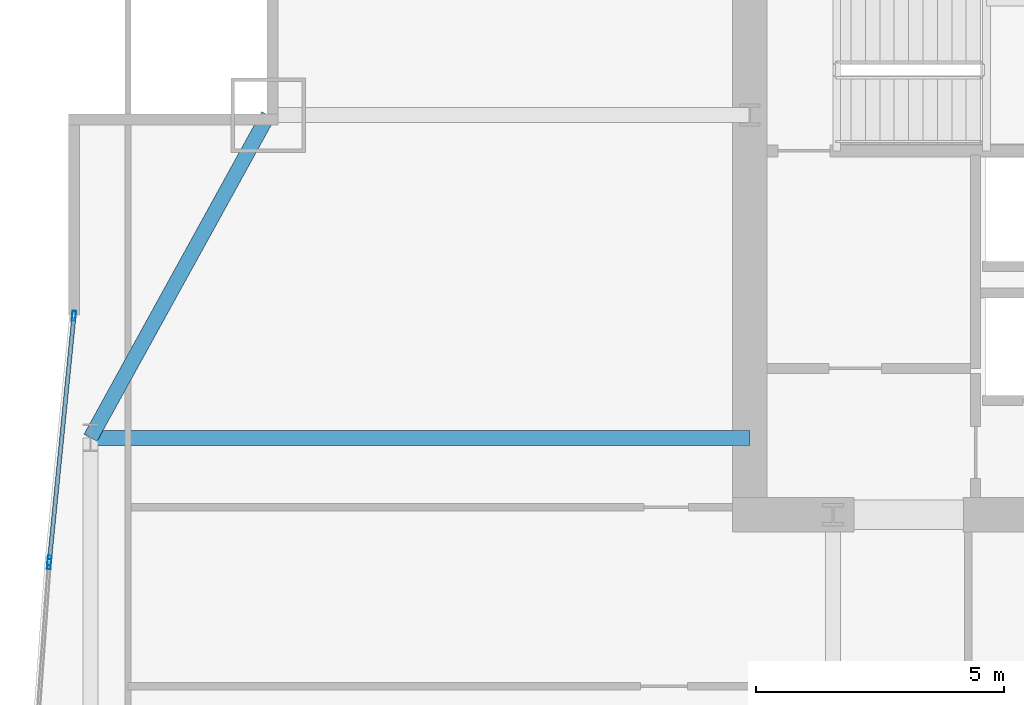
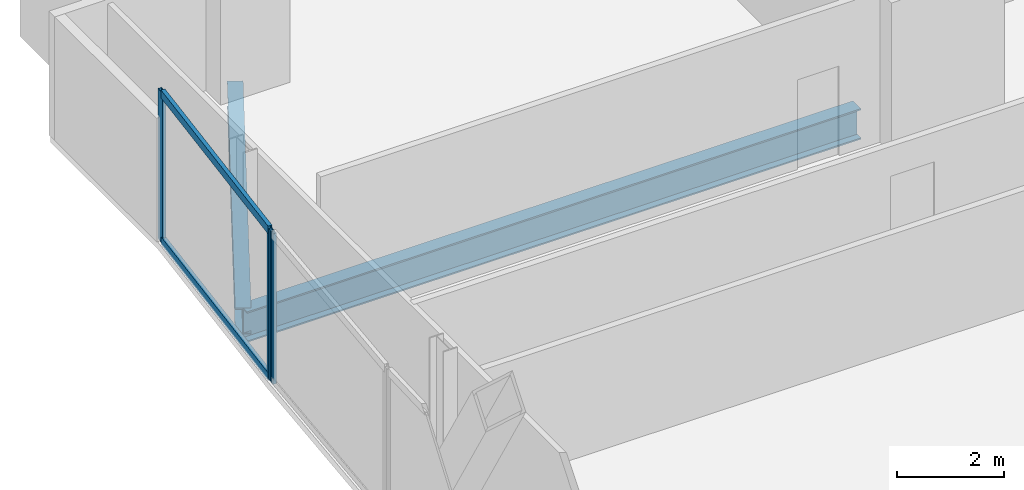
# One storey, part 17 of 31: 5 members, 2 beams, 2 elements without a shape of their own.
"""IFC4 building model written with IfcOpenShell, lengths in metres."""

import ifcopenshell
import ifcopenshell.guid

model = None  # the IFC model being written
_history = None  # IfcOwnerHistory: only IFC2X3 demands one
_inside = {}  # id of a spatial element -> (the spatial element, [elements in it])
_under = {}  # id of a project, library or spatial element -> (it, [spatial elements below it])
_declared = {}  # id of a project -> (the project, [libraries it declares])
_typed = {}  # id of a type object -> (the type object, [elements of that type])
_made_of = {}  # id of a material, layer set ... -> (it, [elements and type objects made of it])


def new_model(schema):
    """Start an empty IFC model of exactly this schema.

    Asked for "IFC4X3", IfcOpenShell would pick the latest addendum, in which some entities
    have other attributes; the version numbers below select the first issue.
    IFC2X3 requires an IfcOwnerHistory on every rooted entity: one is made here for all.
    """
    global model, _history
    if schema == "IFC4X3":
        model = ifcopenshell.file(schema_version=(4, 3, 0, 0))
    else:
        model = ifcopenshell.file(schema=schema)
    _inside.clear()
    _under.clear()
    _declared.clear()
    _typed.clear()
    _made_of.clear()
    _history = None
    if model.schema == "IFC2X3":
        org = make("IfcOrganization", Name="unknown")
        user = make(
            "IfcPersonAndOrganization",
            ThePerson=make("IfcPerson", FamilyName="unknown"),
            TheOrganization=org,
        )
        app = make(
            "IfcApplication",
            ApplicationDeveloper=org,
            Version="unknown",
            ApplicationFullName="unknown",
            ApplicationIdentifier="unknown",
        )
        _history = make(
            "IfcOwnerHistory",
            OwningUser=user,
            OwningApplication=app,
            ChangeAction="ADDED",
            CreationDate=0,
        )
    return model


def make(cls, **values):
    """One entity of the class cls with the attributes given. An attribute that is None is left unset."""
    return model.create_entity(
        cls, **{name: value for name, value in values.items() if value is not None}
    )


def rooted(cls, **values):
    """An entity with a GlobalId (a new one), such as an element, a storey or a relation."""
    return make(cls, GlobalId=ifcopenshell.guid.new(), OwnerHistory=_history, **values)


def si_unit(unit_type, name, prefix=None):
    """IfcSIUnit, for example si_unit("LENGTHUNIT", "METRE", prefix="MILLI")."""
    return make("IfcSIUnit", UnitType=unit_type, Prefix=prefix, Name=name)


def assignment(units):
    """IfcUnitAssignment: the units of a project."""
    return None if units is None else make("IfcUnitAssignment", Units=units)


def point(xyz):
    """IfcCartesianPoint."""
    return None if xyz is None else make("IfcCartesianPoint", Coordinates=xyz)


def direction(xyz):
    """IfcDirection."""
    return None if xyz is None else make("IfcDirection", DirectionRatios=xyz)


def frame(location, z_axis=None, x_axis=None):
    """IfcAxis2Placement3D, a coordinate frame: its origin and axes. An axis left out is left unset."""
    return make(
        "IfcAxis2Placement3D",
        Location=point(location),
        Axis=direction(z_axis),
        RefDirection=direction(x_axis),
    )


def frame_2d(location, x_axis=None):
    """IfcAxis2Placement2D, a coordinate frame in the plane: its origin and x axis."""
    return make(
        "IfcAxis2Placement2D", Location=point(location), RefDirection=direction(x_axis)
    )


def origin():
    """The frame at (0, 0, 0) with its axes left unset."""
    return frame((0.0, 0.0, 0.0))


def origin_2d():
    """The frame at (0, 0) in the plane with its x axis left unset."""
    return frame_2d((0.0, 0.0))


def place(relative_to, where):
    """IfcLocalPlacement: puts the frame where relative to a parent placement (None: the world)."""
    return make(
        "IfcLocalPlacement", PlacementRelTo=relative_to, RelativePlacement=where
    )


def context(
    kind, dimensions, precision=None, world=None, true_north=None, identifier=None
):
    """IfcGeometricRepresentationContext, for example the 3D "Model" context."""
    return make(
        "IfcGeometricRepresentationContext",
        ContextIdentifier=identifier,
        ContextType=kind,
        CoordinateSpaceDimension=dimensions,
        Precision=precision,
        WorldCoordinateSystem=world,
        TrueNorth=true_north,
    )


def subcontext(parent, identifier, kind, view, scale=None):
    """IfcGeometricRepresentationSubContext, for example "Body" below "Model"."""
    return make(
        "IfcGeometricRepresentationSubContext",
        ContextIdentifier=identifier,
        ContextType=kind,
        ParentContext=parent,
        TargetScale=scale,
        TargetView=view,
    )


def project(units=None, contexts=None):
    """IfcProject with its units and contexts."""
    return rooted(
        "IfcProject",
        Name="project",
        RepresentationContexts=contexts,
        UnitsInContext=assignment(units),
    )


def spatial(cls, under=None, at=None, **own):
    """A site, building, storey or space (cls), placed at a placement, below another one or the project."""
    s = rooted(cls, ObjectPlacement=at, **own)
    if under is not None:
        _under.setdefault(under.id(), (under, []))[1].append(s)
    return s


def profile(cls, at=None, kind="AREA", **sizes):
    """A parametric profile (cls). Its sizes go by their IFC names, for example OverallWidth=200.0."""
    return make(cls, ProfileType=kind, Position=at, **sizes)


def hollow_rectangle(**sizes):
    """IfcRectangleHollowProfileDef."""
    return profile("IfcRectangleHollowProfileDef", **sizes)


def i_section(**sizes):
    """IfcIShapeProfileDef."""
    return profile("IfcIShapeProfileDef", **sizes)


def extrude(swept, where, along, depth):
    """IfcExtrudedAreaSolid: the profile swept, set in the frame where, extruded along a direction by depth."""
    return make(
        "IfcExtrudedAreaSolid",
        SweptArea=swept,
        Position=where,
        ExtrudedDirection=direction(along),
        Depth=depth,
    )


def shape(context_of_items, identifier, shape_type, items):
    """IfcShapeRepresentation: the items that make up one representation, for example the "Body"."""
    return make(
        "IfcShapeRepresentation",
        ContextOfItems=context_of_items,
        RepresentationIdentifier=identifier,
        RepresentationType=shape_type,
        Items=items,
    )


def material(Name=None, Category=None):
    """IfcMaterial."""
    return make("IfcMaterial", Name=Name, Category=Category)


def material_profile(
    of_material, cross_section, Name=None, Category=None, Priority=None
):
    """IfcMaterialProfile: a cross section and its material."""
    return make(
        "IfcMaterialProfile",
        Name=Name,
        Material=of_material,
        Profile=cross_section,
        Priority=Priority,
        Category=Category,
    )


def profile_set(profiles, Name=None, composite=None):
    """IfcMaterialProfileSet."""
    return make(
        "IfcMaterialProfileSet",
        Name=Name,
        MaterialProfiles=profiles,
        CompositeProfile=composite,
    )


def made_of(thing, what):
    """Note that an element or type object is made of a material, layer set ...; save() writes the relation."""
    if what is not None:
        _made_of.setdefault(what.id(), (what, []))[1].append(thing)
    return thing


def type_object(cls, material=None, **own):
    """A type object (cls), such as IfcWallType, which elements share."""
    return made_of(rooted(cls, **own), material)


def element(
    cls,
    number,
    at=None,
    inside=None,
    cuts=None,
    type_object=None,
    material=None,
    context=None,
    identifier="Body",
    shape_type=None,
    held_by="IfcProductDefinitionShape",
    body=None,
    shapes=None,
    **own,
):
    """One element of the class cls, such as IfcWall. Its Tag is "e" and its number.

    at: its placement. inside: the storey or other place that contains it. cuts: it is an
    opening in that element (IfcRelVoidsElement). A single representation is given by context,
    identifier, shape_type and body (its items); several are given by shapes. held_by: the class
    of the entity that holds the representations. save() writes the other relations.
    """
    e = rooted(cls, Tag="e%d" % number, ObjectPlacement=at, **own)
    if body is not None:
        shapes = [shape(context, identifier, shape_type, body)]
    if shapes is not None:
        e.Representation = make(held_by, Representations=shapes)
    if inside is not None:
        _inside.setdefault(inside.id(), (inside, []))[1].append(e)
    if cuts is not None:
        rooted(
            "IfcRelVoidsElement", RelatingBuildingElement=cuts, RelatedOpeningElement=e
        )
    if type_object is not None:
        _typed.setdefault(type_object.id(), (type_object, []))[1].append(e)
    return made_of(e, material)


def aggregate(whole, parts):
    """IfcRelAggregates: a whole, such as a stair, and the parts it consists of."""
    return rooted("IfcRelAggregates", RelatingObject=whole, RelatedObjects=parts)


def save(model, path):
    """Write the relations noted so far, then the file.

    IfcRelAggregates (storeys below a building ...), IfcRelContainedInSpatialStructure (elements
    in a storey), IfcRelDefinesByType, IfcRelAssociatesMaterial and IfcRelDeclares: one each for
    every whole, place, type object, material and project.
    """
    for whole, parts in _under.values():
        aggregate(whole, parts)
    for where, things in _inside.values():
        rooted(
            "IfcRelContainedInSpatialStructure",
            RelatedElements=things,
            RelatingStructure=where,
        )
    for kind, things in _typed.values():
        rooted("IfcRelDefinesByType", RelatedObjects=things, RelatingType=kind)
    for what, things in _made_of.values():
        rooted("IfcRelAssociatesMaterial", RelatedObjects=things, RelatingMaterial=what)
    for by, libraries in _declared.values():
        rooted("IfcRelDeclares", RelatingContext=by, RelatedDefinitions=libraries)
    model.write(path)


model = new_model("IFC4")

# Units and contexts
model_context = context("Model", 3, precision=1e-05, world=origin(), true_north=direction((0.0, 1.0)))
body_context = subcontext(model_context, "Body", "Model", "MODEL_VIEW")
ifc_project = project(units=[si_unit("LENGTHUNIT", "METRE"), si_unit("AREAUNIT", "SQUARE_METRE"), si_unit("VOLUMEUNIT", "CUBIC_METRE"), si_unit("PLANEANGLEUNIT", "RADIAN"), si_unit("MASSUNIT", "GRAM", prefix="KILO")], contexts=[model_context])

# Site, building, storey
site_placement = place(None, origin())
site = spatial("IfcSite", under=ifc_project, at=site_placement, CompositionType="ELEMENT")
building_placement = place(site_placement, origin())
building = spatial("IfcBuilding", under=site, at=building_placement, Name="Khoronbel Lancet Exchange", CompositionType="ELEMENT")
storey_placement = place(building_placement, frame((0.0, 0.0, 129.0)))
storey = spatial("IfcBuildingStorey", under=building, at=storey_placement, Name="L31", CompositionType="ELEMENT", Elevation=129.0)

# Beams
ifc_material_1 = material(Name="Steel S355", Category="steel")
ifc_material_profile_1 = material_profile(ifc_material_1, i_section(OverallWidth=0.300048828125, OverallDepth=0.699951171875, WebThickness=0.01708984375, FlangeThickness=0.031982421875, at=origin_2d()), Name="HEB 700")
ifc_profile_set_1 = profile_set([ifc_material_profile_1], Name="Steel S355")
beam_type_1 = type_object("IfcBeamType", Name="BM-BG3", PredefinedType="BEAM", material=ifc_profile_set_1)
beam_1_placement = place(storey_placement, frame((3.27001953125, 43.199951171875, -0.510009765625), z_axis=(1.0, 0.0, 0.0), x_axis=(0.0, 1.0, 0.0)))
element("IfcBeam", 1, at=beam_1_placement, inside=storey, type_object=beam_type_1, Name="Level L31 west lens tie girder LG3W", PredefinedType="BEAM", context=body_context, shape_type="SweptSolid", body=[
    extrude(i_section(OverallWidth=0.300048828125, OverallDepth=0.699951171875, WebThickness=0.01708984375, FlangeThickness=0.031982421875, at=origin_2d()), origin(), (0.0, 0.0, 1.0), 13.280029296875),
])
ifc_material_profile_2 = material_profile(ifc_material_1, i_section(OverallWidth=0.300048828125, OverallDepth=0.60009765625, WebThickness=0.015380859375, FlangeThickness=0.030029296875, at=origin_2d()), Name="HEB 600")
ifc_profile_set_2 = profile_set([ifc_material_profile_2], Name="Steel S355")
beam_type_2 = type_object("IfcBeamType", Name="BM-BSP2", PredefinedType="SPANDREL", material=ifc_profile_set_2)
beam_2_placement = place(storey_placement, frame((6.85009765625, 49.699951171875, -0.4599609375), z_axis=(-0.482444051088, -0.875926787791, 0.0), x_axis=(0.875926787791, -0.482444051088, 0.0)))
element("IfcBeam", 2, at=beam_2_placement, inside=storey, type_object=beam_type_2, Name="Level L31 perimeter spandrel beam SP16", PredefinedType="SPANDREL", context=body_context, shape_type="SweptSolid", body=[
    extrude(i_section(OverallWidth=0.300048828125, OverallDepth=0.60009765625, WebThickness=0.015380859375, FlangeThickness=0.030029296875, at=origin_2d()), origin(), (0.0, 0.0, 1.0), 7.420654296875),
])

# Curtain wall, member
ifc_material_2 = material(Name="Low-E Solar Control Insulating Glass", Category="glass")
curtain_wall_type = type_object("IfcCurtainWallType", Name="CW-4", PredefinedType="NOTDEFINED", material=ifc_material_2)
curtain_wall_1_placement = place(storey_placement, origin())
curtain_wall_1 = element("IfcCurtainWall", 3, at=curtain_wall_1_placement, inside=storey, type_object=curtain_wall_type, Name="Unitised curtain wall CW-L31-E08", PredefinedType="NOTDEFINED")
ifc_material_3 = material(Name="Bronze-Anodised Aluminium 6063-T6", Category="aluminium")
ifc_material_profile_3 = material_profile(ifc_material_3, hollow_rectangle(XDim=0.074951171875, YDim=0.199951171875, WallThickness=0.0048828125, at=origin_2d()), Name="ALU MULLION 75x200")
ifc_profile_set_3 = profile_set([ifc_material_profile_3], Name="Bronze-Anodised Aluminium 6063-T6")
member_type_1 = type_object("IfcMemberType", Name="MEM-CWM2", PredefinedType="MULLION", material=ifc_profile_set_3)
member_1_placement = place(storey_placement, frame((2.43701171875, 40.65478515625, 0.0), z_axis=(0.0, 0.0, 1.0), x_axis=(-0.997330994662, 0.073012924107, 0.0)))
member_1 = element("IfcMember", 4, at=member_1_placement, type_object=member_type_1, Name="CW4 mullion 2", PredefinedType="MULLION", context=body_context, shape_type="SweptSolid", body=[
    extrude(hollow_rectangle(XDim=0.074951171875, YDim=0.199951171875, WallThickness=0.0048828125, at=origin_2d()), origin(), (0.0, 0.0, 1.0), 3.43994140625),
])
aggregate(curtain_wall_1, [member_1])

# Curtain wall, members
curtain_wall_2_placement = place(storey_placement, origin())
curtain_wall_2 = element("IfcCurtainWall", 5, at=curtain_wall_2_placement, inside=storey, type_object=curtain_wall_type, Name="Unitised curtain wall CW-L31-E09", PredefinedType="NOTDEFINED")
member_2_placement = place(storey_placement, frame((2.443359375, 40.7294921875, 0.0), z_axis=(0.0, 0.0, 1.0), x_axis=(-0.995037780914, 0.099497811805, 0.0)))
member_2 = element("IfcMember", 6, at=member_2_placement, type_object=member_type_1, Name="CW4 mullion 1", PredefinedType="MULLION", context=body_context, shape_type="SweptSolid", body=[
    extrude(hollow_rectangle(XDim=0.074951171875, YDim=0.199951171875, WallThickness=0.0048828125, at=origin_2d()), origin(), (0.0, 0.0, 1.0), 3.43994140625),
])
member_3_placement = place(storey_placement, frame((2.936279296875, 45.658203125, 0.0), z_axis=(0.0, 0.0, 1.0), x_axis=(-0.995037780914, 0.099497811805, 0.0)))
member_3 = element("IfcMember", 7, at=member_3_placement, type_object=member_type_1, Name="CW4 mullion 2", PredefinedType="MULLION", context=body_context, shape_type="SweptSolid", body=[
    extrude(hollow_rectangle(XDim=0.074951171875, YDim=0.199951171875, WallThickness=0.0048828125, at=origin_2d()), origin(), (0.0, 0.0, 1.0), 3.43994140625),
])
ifc_material_profile_4 = material_profile(ifc_material_3, hollow_rectangle(XDim=0.0849609375, YDim=0.179931640625, WallThickness=0.0048828125, at=origin_2d()), Name="ALU TRANSOM 85x180")
ifc_profile_set_4 = profile_set([ifc_material_profile_4], Name="Bronze-Anodised Aluminium 6063-T6")
member_type_2 = type_object("IfcMemberType", Name="MEM-CWT1", PredefinedType="USERDEFINED", material=ifc_profile_set_4)
member_4_placement = place(storey_placement, frame((2.447265625, 40.766845703125, 0.04248046875), z_axis=(0.099493808682, 0.995038181194, 0.0), x_axis=(-0.995038181194, 0.099493808682, 0.0)))
member_4 = element("IfcMember", 8, at=member_4_placement, type_object=member_type_2, Name="CW4 transom 1.1", ObjectType="TRANSOM", PredefinedType="USERDEFINED", context=body_context, shape_type="SweptSolid", body=[
    extrude(hollow_rectangle(XDim=0.0849609375, YDim=0.179931640625, WallThickness=0.0048828125, at=origin_2d()), origin(), (0.0, 0.0, 1.0), 4.878173828125),
])
member_5_placement = place(storey_placement, frame((2.447265625, 40.766845703125, 3.3974609375), z_axis=(0.099493808682, 0.995038181194, 0.0), x_axis=(-0.995038181194, 0.099493808682, 0.0)))
member_5 = element("IfcMember", 9, at=member_5_placement, type_object=member_type_2, Name="CW4 transom 1.2", ObjectType="TRANSOM", PredefinedType="USERDEFINED", context=body_context, shape_type="SweptSolid", body=[
    extrude(hollow_rectangle(XDim=0.0849609375, YDim=0.179931640625, WallThickness=0.0048828125, at=origin_2d()), origin(), (0.0, 0.0, 1.0), 4.878173828125),
])
aggregate(curtain_wall_2, [member_2, member_3, member_4, member_5])

save(model, "model.ifc")
